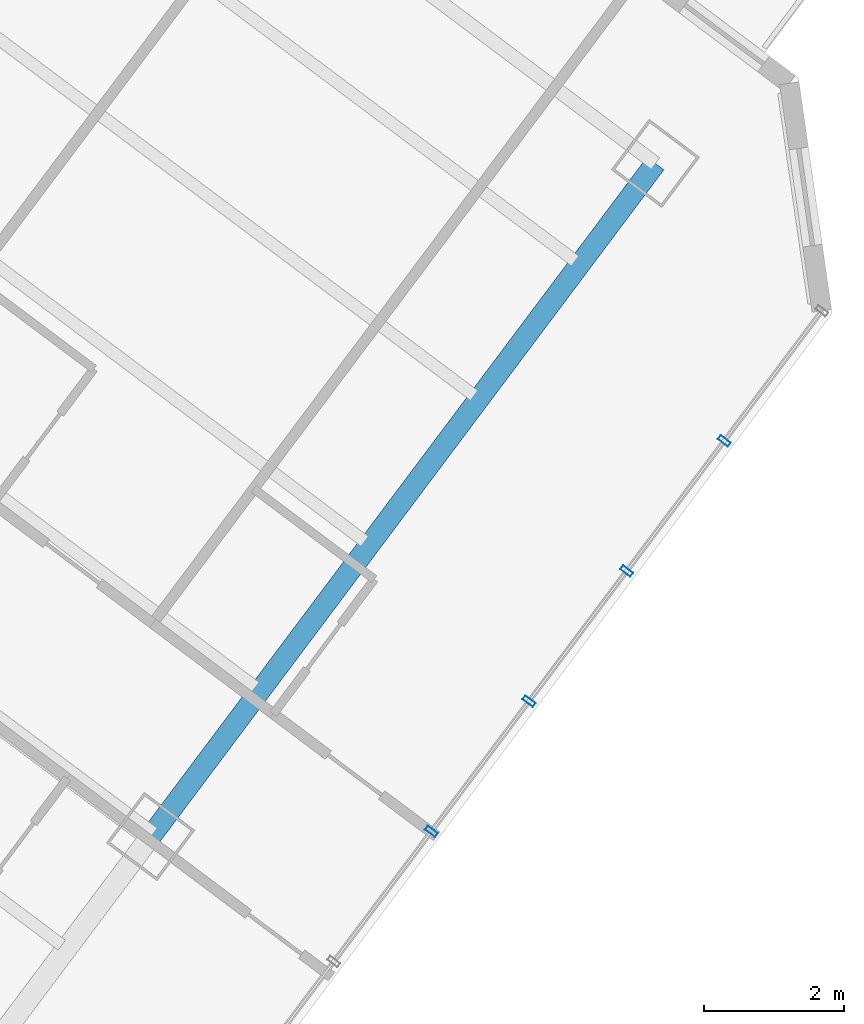
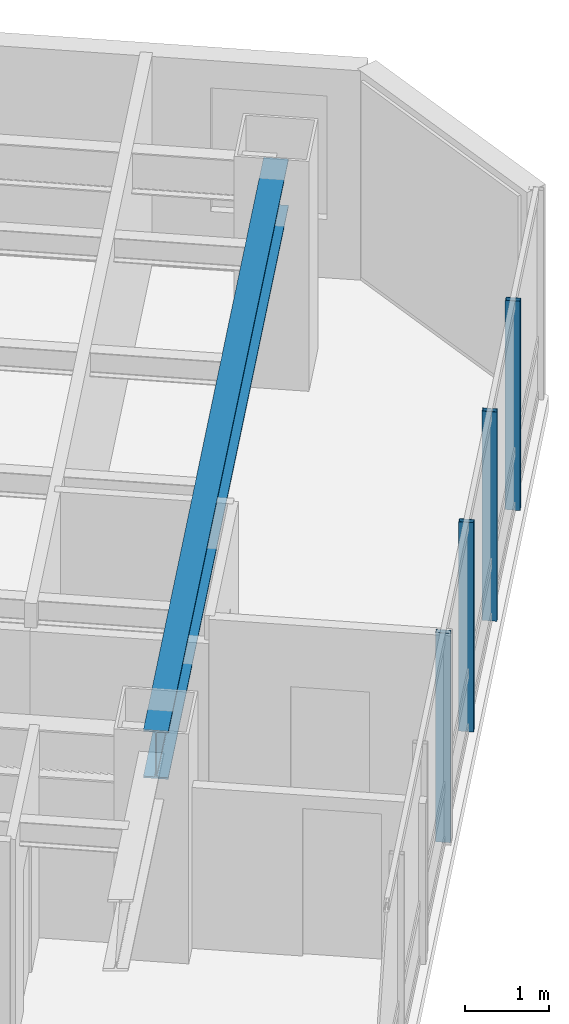
# One storey, part 16 of 36: 4 members, 1 beam, 1 element without a shape of its own.
"""IFC4 building model written with IfcOpenShell, lengths in metres."""

import ifcopenshell
import ifcopenshell.guid

model = None  # the IFC model being written
_history = None  # IfcOwnerHistory: only IFC2X3 demands one
_inside = {}  # id of a spatial element -> (the spatial element, [elements in it])
_under = {}  # id of a project, library or spatial element -> (it, [spatial elements below it])
_declared = {}  # id of a project -> (the project, [libraries it declares])
_typed = {}  # id of a type object -> (the type object, [elements of that type])
_made_of = {}  # id of a material, layer set ... -> (it, [elements and type objects made of it])


def new_model(schema):
    """Start an empty IFC model of exactly this schema.

    Asked for "IFC4X3", IfcOpenShell would pick the latest addendum, in which some entities
    have other attributes; the version numbers below select the first issue.
    IFC2X3 requires an IfcOwnerHistory on every rooted entity: one is made here for all.
    """
    global model, _history
    if schema == "IFC4X3":
        model = ifcopenshell.file(schema_version=(4, 3, 0, 0))
    else:
        model = ifcopenshell.file(schema=schema)
    _inside.clear()
    _under.clear()
    _declared.clear()
    _typed.clear()
    _made_of.clear()
    _history = None
    if model.schema == "IFC2X3":
        org = make("IfcOrganization", Name="unknown")
        user = make(
            "IfcPersonAndOrganization",
            ThePerson=make("IfcPerson", FamilyName="unknown"),
            TheOrganization=org,
        )
        app = make(
            "IfcApplication",
            ApplicationDeveloper=org,
            Version="unknown",
            ApplicationFullName="unknown",
            ApplicationIdentifier="unknown",
        )
        _history = make(
            "IfcOwnerHistory",
            OwningUser=user,
            OwningApplication=app,
            ChangeAction="ADDED",
            CreationDate=0,
        )
    return model


def make(cls, **values):
    """One entity of the class cls with the attributes given. An attribute that is None is left unset."""
    return model.create_entity(
        cls, **{name: value for name, value in values.items() if value is not None}
    )


def rooted(cls, **values):
    """An entity with a GlobalId (a new one), such as an element, a storey or a relation."""
    return make(cls, GlobalId=ifcopenshell.guid.new(), OwnerHistory=_history, **values)


def si_unit(unit_type, name, prefix=None):
    """IfcSIUnit, for example si_unit("LENGTHUNIT", "METRE", prefix="MILLI")."""
    return make("IfcSIUnit", UnitType=unit_type, Prefix=prefix, Name=name)


def assignment(units):
    """IfcUnitAssignment: the units of a project."""
    return None if units is None else make("IfcUnitAssignment", Units=units)


def point(xyz):
    """IfcCartesianPoint."""
    return None if xyz is None else make("IfcCartesianPoint", Coordinates=xyz)


def direction(xyz):
    """IfcDirection."""
    return None if xyz is None else make("IfcDirection", DirectionRatios=xyz)


def frame(location, z_axis=None, x_axis=None):
    """IfcAxis2Placement3D, a coordinate frame: its origin and axes. An axis left out is left unset."""
    return make(
        "IfcAxis2Placement3D",
        Location=point(location),
        Axis=direction(z_axis),
        RefDirection=direction(x_axis),
    )


def frame_2d(location, x_axis=None):
    """IfcAxis2Placement2D, a coordinate frame in the plane: its origin and x axis."""
    return make(
        "IfcAxis2Placement2D", Location=point(location), RefDirection=direction(x_axis)
    )


def origin():
    """The frame at (0, 0, 0) with its axes left unset."""
    return frame((0.0, 0.0, 0.0))


def origin_2d():
    """The frame at (0, 0) in the plane with its x axis left unset."""
    return frame_2d((0.0, 0.0))


def place(relative_to, where):
    """IfcLocalPlacement: puts the frame where relative to a parent placement (None: the world)."""
    return make(
        "IfcLocalPlacement", PlacementRelTo=relative_to, RelativePlacement=where
    )


def context(
    kind, dimensions, precision=None, world=None, true_north=None, identifier=None
):
    """IfcGeometricRepresentationContext, for example the 3D "Model" context."""
    return make(
        "IfcGeometricRepresentationContext",
        ContextIdentifier=identifier,
        ContextType=kind,
        CoordinateSpaceDimension=dimensions,
        Precision=precision,
        WorldCoordinateSystem=world,
        TrueNorth=true_north,
    )


def subcontext(parent, identifier, kind, view, scale=None):
    """IfcGeometricRepresentationSubContext, for example "Body" below "Model"."""
    return make(
        "IfcGeometricRepresentationSubContext",
        ContextIdentifier=identifier,
        ContextType=kind,
        ParentContext=parent,
        TargetScale=scale,
        TargetView=view,
    )


def project(units=None, contexts=None):
    """IfcProject with its units and contexts."""
    return rooted(
        "IfcProject",
        Name="project",
        RepresentationContexts=contexts,
        UnitsInContext=assignment(units),
    )


def spatial(cls, under=None, at=None, **own):
    """A site, building, storey or space (cls), placed at a placement, below another one or the project."""
    s = rooted(cls, ObjectPlacement=at, **own)
    if under is not None:
        _under.setdefault(under.id(), (under, []))[1].append(s)
    return s


def profile(cls, at=None, kind="AREA", **sizes):
    """A parametric profile (cls). Its sizes go by their IFC names, for example OverallWidth=200.0."""
    return make(cls, ProfileType=kind, Position=at, **sizes)


def hollow_rectangle(**sizes):
    """IfcRectangleHollowProfileDef."""
    return profile("IfcRectangleHollowProfileDef", **sizes)


def i_section(**sizes):
    """IfcIShapeProfileDef."""
    return profile("IfcIShapeProfileDef", **sizes)


def extrude(swept, where, along, depth):
    """IfcExtrudedAreaSolid: the profile swept, set in the frame where, extruded along a direction by depth."""
    return make(
        "IfcExtrudedAreaSolid",
        SweptArea=swept,
        Position=where,
        ExtrudedDirection=direction(along),
        Depth=depth,
    )


def shape(context_of_items, identifier, shape_type, items):
    """IfcShapeRepresentation: the items that make up one representation, for example the "Body"."""
    return make(
        "IfcShapeRepresentation",
        ContextOfItems=context_of_items,
        RepresentationIdentifier=identifier,
        RepresentationType=shape_type,
        Items=items,
    )


def material(Name=None, Category=None):
    """IfcMaterial."""
    return make("IfcMaterial", Name=Name, Category=Category)


def layer(
    of_material, thickness, ventilated=None, Name=None, Category=None, Priority=None
):
    """IfcMaterialLayer: one layer of a wall or slab, of a material (None: an air gap)."""
    return make(
        "IfcMaterialLayer",
        Material=of_material,
        LayerThickness=thickness,
        IsVentilated=ventilated,
        Name=Name,
        Category=Category,
        Priority=Priority,
    )


def layer_set(layers, Name=None):
    """IfcMaterialLayerSet."""
    return make("IfcMaterialLayerSet", MaterialLayers=layers, LayerSetName=Name)


def material_profile(
    of_material, cross_section, Name=None, Category=None, Priority=None
):
    """IfcMaterialProfile: a cross section and its material."""
    return make(
        "IfcMaterialProfile",
        Name=Name,
        Material=of_material,
        Profile=cross_section,
        Priority=Priority,
        Category=Category,
    )


def profile_set(profiles, Name=None, composite=None):
    """IfcMaterialProfileSet."""
    return make(
        "IfcMaterialProfileSet",
        Name=Name,
        MaterialProfiles=profiles,
        CompositeProfile=composite,
    )


def made_of(thing, what):
    """Note that an element or type object is made of a material, layer set ...; save() writes the relation."""
    if what is not None:
        _made_of.setdefault(what.id(), (what, []))[1].append(thing)
    return thing


def type_object(cls, material=None, **own):
    """A type object (cls), such as IfcWallType, which elements share."""
    return made_of(rooted(cls, **own), material)


def element(
    cls,
    number,
    at=None,
    inside=None,
    cuts=None,
    type_object=None,
    material=None,
    context=None,
    identifier="Body",
    shape_type=None,
    held_by="IfcProductDefinitionShape",
    body=None,
    shapes=None,
    **own,
):
    """One element of the class cls, such as IfcWall. Its Tag is "e" and its number.

    at: its placement. inside: the storey or other place that contains it. cuts: it is an
    opening in that element (IfcRelVoidsElement). A single representation is given by context,
    identifier, shape_type and body (its items); several are given by shapes. held_by: the class
    of the entity that holds the representations. save() writes the other relations.
    """
    e = rooted(cls, Tag="e%d" % number, ObjectPlacement=at, **own)
    if body is not None:
        shapes = [shape(context, identifier, shape_type, body)]
    if shapes is not None:
        e.Representation = make(held_by, Representations=shapes)
    if inside is not None:
        _inside.setdefault(inside.id(), (inside, []))[1].append(e)
    if cuts is not None:
        rooted(
            "IfcRelVoidsElement", RelatingBuildingElement=cuts, RelatedOpeningElement=e
        )
    if type_object is not None:
        _typed.setdefault(type_object.id(), (type_object, []))[1].append(e)
    return made_of(e, material)


def aggregate(whole, parts):
    """IfcRelAggregates: a whole, such as a stair, and the parts it consists of."""
    return rooted("IfcRelAggregates", RelatingObject=whole, RelatedObjects=parts)


def save(model, path):
    """Write the relations noted so far, then the file.

    IfcRelAggregates (storeys below a building ...), IfcRelContainedInSpatialStructure (elements
    in a storey), IfcRelDefinesByType, IfcRelAssociatesMaterial and IfcRelDeclares: one each for
    every whole, place, type object, material and project.
    """
    for whole, parts in _under.values():
        aggregate(whole, parts)
    for where, things in _inside.values():
        rooted(
            "IfcRelContainedInSpatialStructure",
            RelatedElements=things,
            RelatingStructure=where,
        )
    for kind, things in _typed.values():
        rooted("IfcRelDefinesByType", RelatedObjects=things, RelatingType=kind)
    for what, things in _made_of.values():
        rooted("IfcRelAssociatesMaterial", RelatedObjects=things, RelatingMaterial=what)
    for by, libraries in _declared.values():
        rooted("IfcRelDeclares", RelatingContext=by, RelatedDefinitions=libraries)
    model.write(path)


model = new_model("IFC4")

# Units and contexts
model_context = context("Model", 3, precision=1e-05, world=origin(), true_north=direction((0.0, 1.0)))
body_context = subcontext(model_context, "Body", "Model", "MODEL_VIEW")
ifc_project = project(units=[si_unit("LENGTHUNIT", "METRE"), si_unit("AREAUNIT", "SQUARE_METRE"), si_unit("VOLUMEUNIT", "CUBIC_METRE"), si_unit("PLANEANGLEUNIT", "RADIAN"), si_unit("MASSUNIT", "GRAM", prefix="KILO")], contexts=[model_context])

# Site, building, storey
site_placement = place(None, origin())
site = spatial("IfcSite", under=ifc_project, at=site_placement, CompositionType="ELEMENT")
building_placement = place(site_placement, origin())
building = spatial("IfcBuilding", under=site, at=building_placement, Name="Hatsunagi Terrace Concourse", CompositionType="ELEMENT")
storey_placement = place(building_placement, frame((0.0, 0.0, 88.0)))
storey = spatial("IfcBuildingStorey", under=building, at=storey_placement, Name="L23", CompositionType="ELEMENT", Elevation=88.0)

# Curtain wall, members
ifc_material_1 = material(Name="Anodised Aluminium Alloy 6063-T5", Category="aluminium")
ifc_layer = layer(ifc_material_1, 0.199951171875)
ifc_layer_set = layer_set([ifc_layer], Name="HotelFacade_CW02")
curtain_wall_type = type_object("IfcCurtainWallType", Name="HotelFacade_CW02", PredefinedType="NOTDEFINED", material=ifc_layer_set)
curtain_wall_placement = place(storey_placement, origin())
curtain_wall = element("IfcCurtainWall", 1, at=curtain_wall_placement, inside=storey, type_object=curtain_wall_type, Name="Unitised Curtain Wall CW-02 CW-L23-03", PredefinedType="NOTDEFINED")
ifc_material_2 = material(Name="Anodised Aluminium Alloy 6063-T5", Category="aluminium")
ifc_material_profile_1 = material_profile(ifc_material_2, hollow_rectangle(XDim=0.070068359375, YDim=0.179931640625, WallThickness=0.00390625, at=origin_2d()), Name="ALU-MUL-180x70x4")
ifc_profile_set_1 = profile_set([ifc_material_profile_1], Name="Anodised Aluminium Alloy 6063-T5")
member_type = type_object("IfcMemberType", Name="CurtainWallMullion_180x70", PredefinedType="MULLION", material=ifc_profile_set_1)
member_1_placement = place(storey_placement, frame((67.700927734375, 17.802001953125, 0.0), z_axis=(0.0, 0.0, 1.0), x_axis=(-0.599969314634, -0.800023013105, 0.0)))
member_1 = element("IfcMember", 2, at=member_1_placement, type_object=member_type, Name="Curtain Wall Mullion MUL-02", PredefinedType="MULLION", context=body_context, shape_type="SweptSolid", body=[
    extrude(hollow_rectangle(XDim=0.070068359375, YDim=0.179931640625, WallThickness=0.00390625, at=origin_2d()), origin(), (0.0, 0.0, 1.0), 3.050048828125),
])
member_2_placement = place(storey_placement, frame((66.30908203125, 15.945068359375, 0.0), z_axis=(0.0, 0.0, 1.0), x_axis=(-0.599969314634, -0.800023013105, 0.0)))
member_2 = element("IfcMember", 3, at=member_2_placement, type_object=member_type, Name="Curtain Wall Mullion MUL-02", PredefinedType="MULLION", context=body_context, shape_type="SweptSolid", body=[
    extrude(hollow_rectangle(XDim=0.070068359375, YDim=0.179931640625, WallThickness=0.00390625, at=origin_2d()), origin(), (0.0, 0.0, 1.0), 3.050048828125),
])
member_3_placement = place(storey_placement, frame((64.916015625, 14.089111328125, 0.0), z_axis=(0.0, 0.0, 1.0), x_axis=(-0.599969314634, -0.800023013105, 0.0)))
member_3 = element("IfcMember", 4, at=member_3_placement, type_object=member_type, Name="Curtain Wall Mullion MUL-02", PredefinedType="MULLION", context=body_context, shape_type="SweptSolid", body=[
    extrude(hollow_rectangle(XDim=0.070068359375, YDim=0.179931640625, WallThickness=0.00390625, at=origin_2d()), origin(), (0.0, 0.0, 1.0), 3.050048828125),
])
member_4_placement = place(storey_placement, frame((63.52392578125, 12.23193359375, 0.0), z_axis=(0.0, 0.0, 1.0), x_axis=(-0.599969314634, -0.800023013105, 0.0)))
member_4 = element("IfcMember", 5, at=member_4_placement, type_object=member_type, Name="Curtain Wall Mullion MUL-02", PredefinedType="MULLION", context=body_context, shape_type="SweptSolid", body=[
    extrude(hollow_rectangle(XDim=0.070068359375, YDim=0.179931640625, WallThickness=0.00390625, at=origin_2d()), origin(), (0.0, 0.0, 1.0), 3.050048828125),
])
aggregate(curtain_wall, [member_1, member_2, member_3, member_4])

# Beam
ifc_material_3 = material(Name="Steel SN490B", Category="steel")
ifc_material_profile_2 = material_profile(ifc_material_3, i_section(OverallWidth=0.300048828125, OverallDepth=0.699951171875, WebThickness=0.012939453125, FlangeThickness=0.02392578125, FilletRadius=0.02197265625, at=origin_2d()), Name="H-700x300x13x24")
ifc_profile_set_2 = profile_set([ifc_material_profile_2], Name="Steel SN490B")
beam_type = type_object("IfcBeamType", Name="HotelFloorGirder_H_700x300", PredefinedType="BEAM", material=ifc_profile_set_2)
beam_placement = place(storey_placement, frame((59.52001953125, 12.159912109375, 2.699951171875), z_axis=(0.59999348959, 0.800004882766, 0.0), x_axis=(-0.800004882766, 0.59999348959, 0.0)))
element("IfcBeam", 6, at=beam_placement, inside=storey, type_object=beam_type, Name="Beam G-04 BM-L23-SET-3B", PredefinedType="BEAM", context=body_context, shape_type="SweptSolid", body=[
    extrude(i_section(OverallWidth=0.300048828125, OverallDepth=0.699951171875, WebThickness=0.012939453125, FlangeThickness=0.02392578125, FilletRadius=0.02197265625, at=origin_2d()), origin(), (0.0, 0.0, 1.0), 12.0),
])

save(model, "model.ifc")
